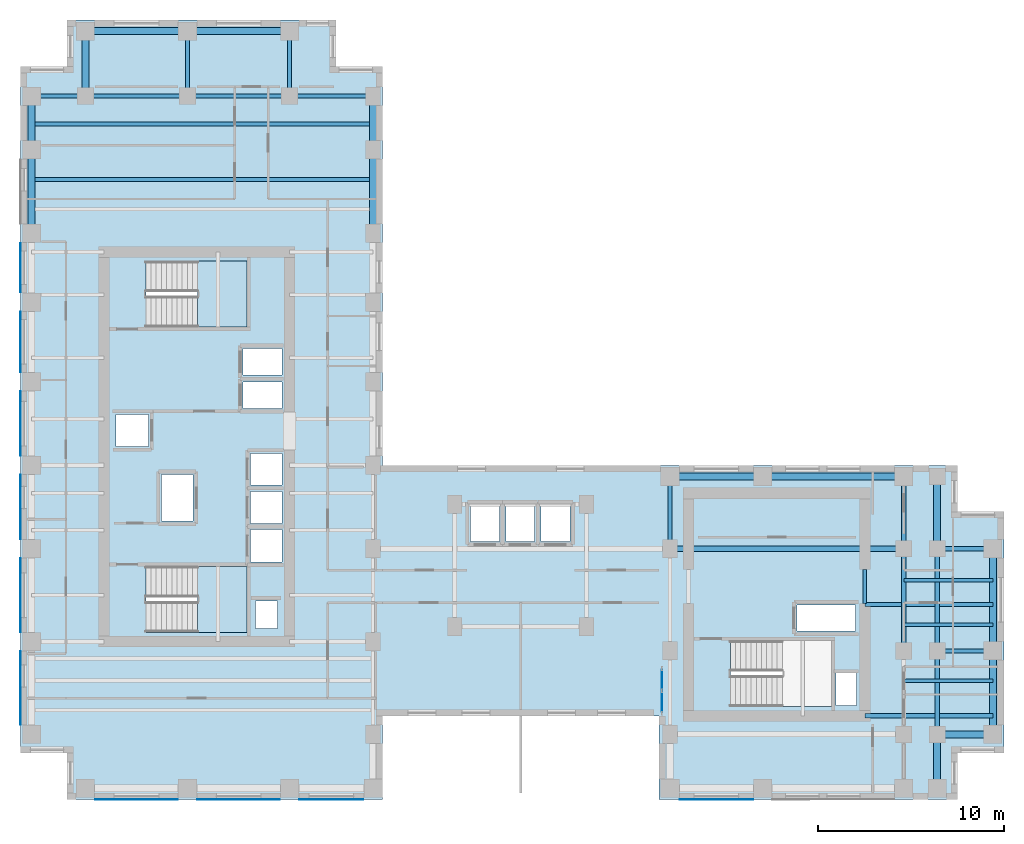
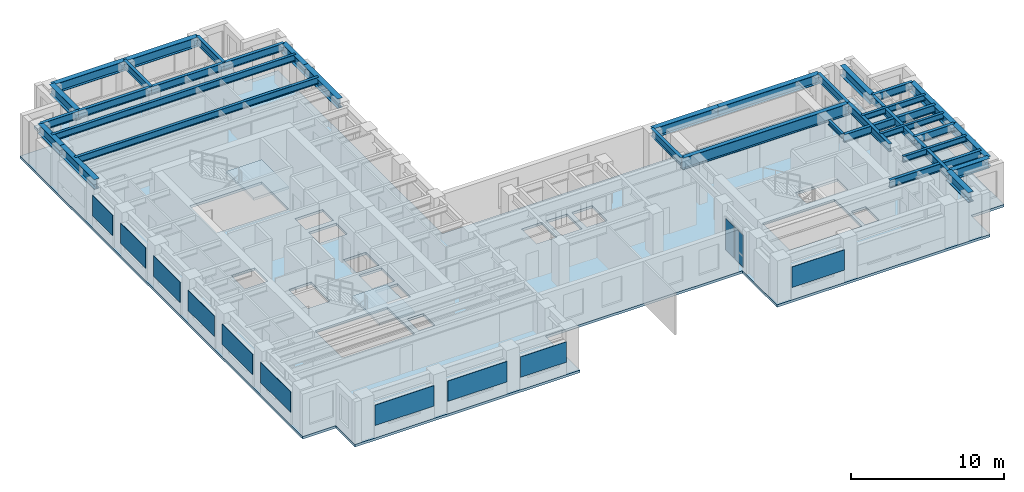
# One storey, part 3 of 12: 36 beams, 12 plates, 3 slabs, 3 elements without a shape of their own.
"""IFC4 building model written with IfcOpenShell, lengths in metres."""

from ifc_helpers import new_model, si_unit, direction, frame, origin, origin_2d, place, context, subcontext, project, spatial, polyline, rectangle, i_section, outline, extrude, source, transform, mapped, material, layer, layer_set, material_profile, profile_set, type_object, element, aggregate, save


model = new_model("IFC4")

# Units and contexts
model_context = context("Model", 3, precision=1e-05, world=origin(), true_north=direction((0.0, 1.0)))
body_context = subcontext(model_context, "Body", "Model", "MODEL_VIEW")
ifc_project = project(units=[si_unit("LENGTHUNIT", "METRE"), si_unit("AREAUNIT", "SQUARE_METRE"), si_unit("VOLUMEUNIT", "CUBIC_METRE"), si_unit("PLANEANGLEUNIT", "RADIAN"), si_unit("MASSUNIT", "GRAM", prefix="KILO")], contexts=[model_context])

# Site, building, storey
site_placement = place(None, origin())
site = spatial("IfcSite", under=ifc_project, at=site_placement, CompositionType="ELEMENT")
building_placement = place(site_placement, origin())
building = spatial("IfcBuilding", under=site, at=building_placement, Name="Kharzan Plaza Tower", CompositionType="ELEMENT")
storey_placement = place(building_placement, frame((0.0, 0.0, 146.699951171875)))
storey = spatial("IfcBuildingStorey", under=building, at=storey_placement, Name="L39", CompositionType="ELEMENT", Elevation=146.699951171875)

# Beams
ifc_material_1 = material(Name="Steel S355", Category="steel")
ifc_material_profile_1 = material_profile(ifc_material_1, i_section(OverallWidth=0.205078125, OverallDepth=0.35400390625, WebThickness=0.009521484375, FlangeThickness=0.016845703125, at=origin_2d()), Name="W360x79")
ifc_profile_set_1 = profile_set([ifc_material_profile_1], Name="Steel S355")
beam_type_1 = type_object("IfcBeamType", Name="BM-LNT360", PredefinedType="LINTEL", material=ifc_profile_set_1)
shared_shape_1 = source(origin(), body_context, "Body", "SweptSolid", [
    extrude(i_section(OverallWidth=0.205078125, OverallDepth=0.35400390625, WebThickness=0.009521484375, FlangeThickness=0.016845703125, at=origin_2d()), origin(), (0.0, 0.0, 1.0), 1.849853515625),
])
beam_1_placement = place(storey_placement, frame((45.5, 10.550048828125, 3.22314453125), z_axis=(0.0, 1.0, 0.0), x_axis=(-1.0, 0.0, 0.0)))
element("IfcBeam", 1, at=beam_1_placement, inside=storey, type_object=beam_type_1, Name="L39 CORE-B coupling lintel LN1-WE", PredefinedType="LINTEL", context=body_context, shape_type="MappedRepresentation", body=[
    mapped(shared_shape_1, transform((0.0, 0.0, 0.0), x_axis=(1.0, 0.0, 0.0), y_axis=(0.0, 1.0, 0.0), z_axis=(0.0, 0.0, 1.0))),
])
ifc_material_profile_2 = material_profile(ifc_material_1, i_section(OverallWidth=0.304931640625, OverallDepth=0.9189453125, WebThickness=0.017333984375, FlangeThickness=0.02783203125, at=origin_2d()), Name="W920x253")
ifc_profile_set_2 = profile_set([ifc_material_profile_2], Name="Steel S355")
beam_type_2 = type_object("IfcBeamType", Name="BM-FG920B", PredefinedType="BEAM", material=ifc_profile_set_2)
shared_shape_2 = source(origin(), body_context, "Body", "SweptSolid", [
    extrude(i_section(OverallWidth=0.304931640625, OverallDepth=0.9189453125, WebThickness=0.017333984375, FlangeThickness=0.02783203125, at=origin_2d()), origin(), (0.0, 0.0, 1.0), 12.60009765625),
])
beam_2_placement = place(storey_placement, frame((35.0, 13.5, 2.9404296875), z_axis=(1.0, 0.0, 0.0), x_axis=(0.0, 1.0, 0.0)))
element("IfcBeam", 2, at=beam_2_placement, inside=storey, type_object=beam_type_2, Name="L39 Primary Floor Girder", PredefinedType="BEAM", context=body_context, shape_type="MappedRepresentation", body=[
    mapped(shared_shape_2, transform((0.0, 0.0, 0.0), x_axis=(1.0, 0.0, 0.0), y_axis=(0.0, 1.0, 0.0), z_axis=(0.0, 0.0, 1.0))),
])
ifc_material_profile_3 = material_profile(ifc_material_1, i_section(OverallWidth=0.2099609375, OverallDepth=0.537109375, WebThickness=0.010986328125, FlangeThickness=0.017333984375, at=origin_2d()), Name="W530x101")
ifc_profile_set_3 = profile_set([ifc_material_profile_3], Name="Steel S355")
beam_type_3 = type_object("IfcBeamType", Name="BM-JST530B", PredefinedType="JOIST", material=ifc_profile_set_3)
shared_shape_3 = source(origin(), body_context, "Body", "SweptSolid", [
    extrude(i_section(OverallWidth=0.2099609375, OverallDepth=0.537109375, WebThickness=0.010986328125, FlangeThickness=0.017333984375, at=origin_2d()), origin(), (0.0, 0.0, 1.0), 18.39990234375),
])
for number, where, z_axis, x_axis, name in (
    (3, (0.60009765625, 33.39990234375, 3.131591796875), (1.0, 0.0, 0.0), (0.0, 1.0, 0.0), "L39 Wing A Composite Joist 05"),
    (4, (0.60009765625, 36.39990234375, 3.131591796875), (1.0, 0.0, 0.0), (0.0, 1.0, 0.0), "L39 Wing A Composite Joist 06"),
):
    element("IfcBeam", number, at=place(storey_placement, frame(where, z_axis=z_axis, x_axis=x_axis)), inside=storey, type_object=beam_type_3, Name=name, PredefinedType="JOIST", context=body_context, shape_type="MappedRepresentation", body=[
        mapped(shared_shape_3, transform((0.0, 0.0, 0.0), x_axis=(1.0, 0.0, 0.0), y_axis=(0.0, 1.0, 0.0), z_axis=(0.0, 0.0, 1.0))),
    ])
ifc_material_profile_4 = material_profile(ifc_material_1, i_section(OverallWidth=0.22900390625, OverallDepth=0.612060546875, WebThickness=0.011962890625, FlangeThickness=0.01953125, at=origin_2d()), Name="W610x125")
ifc_profile_set_4 = profile_set([ifc_material_profile_4], Name="Steel S355")
beam_type_4 = type_object("IfcBeamType", Name="BM-FG610B", PredefinedType="BEAM", material=ifc_profile_set_4)
shared_shape_4 = source(origin(), body_context, "Body", "SweptSolid", [
    extrude(i_section(OverallWidth=0.22900390625, OverallDepth=0.612060546875, WebThickness=0.011962890625, FlangeThickness=0.01953125, at=origin_2d()), origin(), (0.0, 0.0, 1.0), 4.5),
])
for number, where, z_axis, x_axis, name in (
    (5, (49.39990234375, 3.5, 3.093994140625), (0.0, 1.0, 0.0), (-1.0, 0.0, 0.0), "L39 Interior Frame Girder"),
    (6, (14.5, 37.89990234375, 3.093994140625), (1.0, 0.0, 0.0), (0.0, 1.0, 0.0), "L39 Primary Floor Girder"),
):
    element("IfcBeam", number, at=place(storey_placement, frame(where, z_axis=z_axis, x_axis=x_axis)), inside=storey, type_object=beam_type_4, Name=name, PredefinedType="BEAM", context=body_context, shape_type="MappedRepresentation", body=[
        mapped(shared_shape_4, transform((0.0, 0.0, 0.0), x_axis=(1.0, 0.0, 0.0), y_axis=(0.0, 1.0, 0.0), z_axis=(0.0, 0.0, 1.0))),
    ])
shared_shape_5 = source(origin(), body_context, "Body", "SweptSolid", [
    extrude(i_section(OverallWidth=0.22900390625, OverallDepth=0.612060546875, WebThickness=0.011962890625, FlangeThickness=0.01953125, at=origin_2d()), origin(), (0.0, 0.0, 1.0), 3.89990234375),
])
for number, where, z_axis, x_axis, name in (
    (7, (35.0, 13.5, 3.093994140625), (0.0, 1.0, 0.0), (-1.0, 0.0, 0.0), "L39 Interior Frame Girder"),
    (8, (47.60009765625, 13.5, 3.093994140625), (0.0, 1.0, 0.0), (-1.0, 0.0, 0.0), "L39 Interior Frame Girder"),
):
    element("IfcBeam", number, at=place(storey_placement, frame(where, z_axis=z_axis, x_axis=x_axis)), inside=storey, type_object=beam_type_4, Name=name, PredefinedType="BEAM", context=body_context, shape_type="MappedRepresentation", body=[
        mapped(shared_shape_5, transform((0.0, 0.0, 0.0), x_axis=(1.0, 0.0, 0.0), y_axis=(0.0, 1.0, 0.0), z_axis=(0.0, 0.0, 1.0))),
    ])
shared_shape_6 = source(origin(), body_context, "Body", "SweptSolid", [
    extrude(i_section(OverallWidth=0.22900390625, OverallDepth=0.612060546875, WebThickness=0.011962890625, FlangeThickness=0.01953125, at=origin_2d()), origin(), (0.0, 0.0, 1.0), 6.89990234375),
])
for number, where, z_axis, x_axis, name in (
    (9, (45.5, 4.5, 3.093994140625), (1.0, 0.0, 0.0), (0.0, 1.0, 0.0), "L39 Core-B East Floor Girder 1"),
    (10, (45.5, 10.5, 3.093994140625), (1.0, 0.0, 0.0), (0.0, 1.0, 0.0), "L39 Core-B East Floor Girder 2"),
):
    element("IfcBeam", number, at=place(storey_placement, frame(where, z_axis=z_axis, x_axis=x_axis)), inside=storey, type_object=beam_type_4, Name=name, PredefinedType="BEAM", context=body_context, shape_type="MappedRepresentation", body=[
        mapped(shared_shape_6, transform((0.0, 0.0, 0.0), x_axis=(1.0, 0.0, 0.0), y_axis=(0.0, 1.0, 0.0), z_axis=(0.0, 0.0, 1.0))),
    ])
shared_shape_7 = source(origin(), body_context, "Body", "SweptSolid", [
    extrude(i_section(OverallWidth=0.22900390625, OverallDepth=0.612060546875, WebThickness=0.011962890625, FlangeThickness=0.01953125, at=origin_2d()), origin(), (0.0, 0.0, 1.0), 3.5),
])
for number, where, z_axis, x_axis, name in (
    (11, (9.0, 37.89990234375, 3.093994140625), (0.0, 1.0, 0.0), (-1.0, 0.0, 0.0), "L39 Interior Frame Girder"),
    (12, (14.5, 37.89990234375, 3.093994140625), (0.0, 1.0, 0.0), (-1.0, 0.0, 0.0), "L39 Interior Frame Girder"),
):
    element("IfcBeam", number, at=place(storey_placement, frame(where, z_axis=z_axis, x_axis=x_axis)), inside=storey, type_object=beam_type_4, Name=name, PredefinedType="BEAM", context=body_context, shape_type="MappedRepresentation", body=[
        mapped(shared_shape_7, transform((0.0, 0.0, 0.0), x_axis=(1.0, 0.0, 0.0), y_axis=(0.0, 1.0, 0.0), z_axis=(0.0, 0.0, 1.0))),
    ])
shared_shape_8 = source(origin(), body_context, "Body", "SweptSolid", [
    extrude(i_section(OverallWidth=0.22900390625, OverallDepth=0.612060546875, WebThickness=0.011962890625, FlangeThickness=0.01953125, at=origin_2d()), origin(), (0.0, 0.0, 1.0), 5.5),
])
for number, where, z_axis, x_axis, name in (
    (13, (47.60009765625, 8.0, 3.093994140625), (0.0, 1.0, 0.0), (-1.0, 0.0, 0.0), "L39 Interior Frame Girder"),
    (14, (49.39990234375, 8.0, 3.093994140625), (0.0, 1.0, 0.0), (-1.0, 0.0, 0.0), "L39 Interior Frame Girder"),
    (15, (3.5, 37.89990234375, 3.093994140625), (1.0, 0.0, 0.0), (0.0, 1.0, 0.0), "L39 Primary Floor Girder"),
    (16, (9.0, 37.89990234375, 3.093994140625), (1.0, 0.0, 0.0), (0.0, 1.0, 0.0), "L39 Primary Floor Girder"),
):
    element("IfcBeam", number, at=place(storey_placement, frame(where, z_axis=z_axis, x_axis=x_axis)), inside=storey, type_object=beam_type_4, Name=name, PredefinedType="BEAM", context=body_context, shape_type="MappedRepresentation", body=[
        mapped(shared_shape_8, transform((0.0, 0.0, 0.0), x_axis=(1.0, 0.0, 0.0), y_axis=(0.0, 1.0, 0.0), z_axis=(0.0, 0.0, 1.0))),
    ])
shared_shape_9 = source(origin(), body_context, "Body", "SweptSolid", [
    extrude(i_section(OverallWidth=0.22900390625, OverallDepth=0.612060546875, WebThickness=0.011962890625, FlangeThickness=0.01953125, at=origin_2d()), origin(), (0.0, 0.0, 1.0), 2.89990234375),
])
beam_3_placement = place(storey_placement, frame((0.60009765625, 37.89990234375, 3.093994140625), z_axis=(1.0, 0.0, 0.0), x_axis=(0.0, 1.0, 0.0)))
element("IfcBeam", 17, at=beam_3_placement, inside=storey, type_object=beam_type_4, Name="L39 Primary Floor Girder", PredefinedType="BEAM", context=body_context, shape_type="MappedRepresentation", body=[
    mapped(shared_shape_9, transform((0.0, 0.0, 0.0), x_axis=(1.0, 0.0, 0.0), y_axis=(0.0, 1.0, 0.0), z_axis=(0.0, 0.0, 1.0))),
])
shared_shape_10 = source(origin(), body_context, "Body", "SweptSolid", [
    extrude(i_section(OverallWidth=0.22900390625, OverallDepth=0.612060546875, WebThickness=0.011962890625, FlangeThickness=0.01953125, at=origin_2d()), origin(), (0.0, 0.0, 1.0), 3.0),
])
for number, where, z_axis, x_axis, name in (
    (18, (49.39990234375, 8.0, 3.093994140625), (1.0, 0.0, 0.0), (0.0, 1.0, 0.0), "L39 Primary Floor Girder"),
    (19, (49.39990234375, 13.5, 3.093994140625), (1.0, 0.0, 0.0), (0.0, 1.0, 0.0), "L39 Primary Floor Girder"),
):
    element("IfcBeam", number, at=place(storey_placement, frame(where, z_axis=z_axis, x_axis=x_axis)), inside=storey, type_object=beam_type_4, Name=name, PredefinedType="BEAM", context=body_context, shape_type="MappedRepresentation", body=[
        mapped(shared_shape_10, transform((0.0, 0.0, 0.0), x_axis=(1.0, 0.0, 0.0), y_axis=(0.0, 1.0, 0.0), z_axis=(0.0, 0.0, 1.0))),
    ])
ifc_material_profile_5 = material_profile(ifc_material_1, i_section(OverallWidth=0.194091796875, OverallDepth=0.468994140625, WebThickness=0.011474609375, FlangeThickness=0.0205078125, at=origin_2d()), Name="W460x106")
ifc_profile_set_5 = profile_set([ifc_material_profile_5], Name="Steel S355")
beam_type_5 = type_object("IfcBeamType", Name="BM-JST460", PredefinedType="JOIST", material=ifc_profile_set_5)
shared_shape_11 = source(origin(), body_context, "Body", "SweptSolid", [
    extrude(i_section(OverallWidth=0.194091796875, OverallDepth=0.468994140625, WebThickness=0.011474609375, FlangeThickness=0.0205078125, at=origin_2d()), origin(), (0.0, 0.0, 1.0), 4.7998046875),
])
for number, where, z_axis, x_axis, name in (
    (20, (47.60009765625, 6.39990234375, 3.16552734375), (1.0, 0.0, 0.0), (0.0, 1.0, 0.0), "L39 Wing B Composite Joist 02"),
    (21, (47.60009765625, 9.39990234375, 3.16552734375), (1.0, 0.0, 0.0), (0.0, 1.0, 0.0), "L39 Wing B Composite Joist 03"),
    (22, (47.60009765625, 11.800048828125, 3.16552734375), (1.0, 0.0, 0.0), (0.0, 1.0, 0.0), "L39 Wing B Composite Joist 04"),
):
    element("IfcBeam", number, at=place(storey_placement, frame(where, z_axis=z_axis, x_axis=x_axis)), inside=storey, type_object=beam_type_5, Name=name, PredefinedType="JOIST", context=body_context, shape_type="MappedRepresentation", body=[
        mapped(shared_shape_11, transform((0.0, 0.0, 0.0), x_axis=(1.0, 0.0, 0.0), y_axis=(0.0, 1.0, 0.0), z_axis=(0.0, 0.0, 1.0))),
    ])
ifc_material_profile_6 = material_profile(ifc_material_1, i_section(OverallWidth=0.381103515625, OverallDepth=0.77294921875, WebThickness=0.0166015625, FlangeThickness=0.027587890625, at=origin_2d()), Name="W760x257")
ifc_profile_set_6 = profile_set([ifc_material_profile_6], Name="Steel S355")
beam_type_6 = type_object("IfcBeamType", Name="BM-SP760A", PredefinedType="SPANDREL", material=ifc_profile_set_6)
shared_shape_12 = source(origin(), body_context, "Body", "SweptSolid", [
    extrude(i_section(OverallWidth=0.381103515625, OverallDepth=0.77294921875, WebThickness=0.0166015625, FlangeThickness=0.027587890625, at=origin_2d()), origin(), (0.0, 0.0, 1.0), 5.0),
])
beam_4_placement = place(storey_placement, frame((35.0, 17.39990234375, 3.013427734375), z_axis=(1.0, 0.0, 0.0), x_axis=(0.0, 1.0, 0.0)))
element("IfcBeam", 23, at=beam_4_placement, inside=storey, type_object=beam_type_6, Name="L39 Perimeter Tube Spandrel", PredefinedType="SPANDREL", context=body_context, shape_type="MappedRepresentation", body=[
    mapped(shared_shape_12, transform((0.0, 0.0, 0.0), x_axis=(1.0, 0.0, 0.0), y_axis=(0.0, 1.0, 0.0), z_axis=(0.0, 0.0, 1.0))),
])
shared_shape_13 = source(origin(), body_context, "Body", "SweptSolid", [
    extrude(i_section(OverallWidth=0.381103515625, OverallDepth=0.77294921875, WebThickness=0.0166015625, FlangeThickness=0.027587890625, at=origin_2d()), origin(), (0.0, 0.0, 1.0), 4.5),
])
for number, where, z_axis, x_axis, name in (
    (24, (0.60009765625, 30.5, 3.013427734375), (0.0, 1.0, 0.0), (-1.0, 0.0, 0.0), "L39 Perimeter Tube Spandrel"),
    (25, (19.0, 30.5, 3.013427734375), (0.0, 1.0, 0.0), (-1.0, 0.0, 0.0), "L39 Perimeter Tube Spandrel"),
    (26, (52.39990234375, 3.5, 3.013427734375), (0.0, 1.0, 0.0), (-1.0, 0.0, 0.0), "L39 Perimeter Tube Spandrel"),
):
    element("IfcBeam", number, at=place(storey_placement, frame(where, z_axis=z_axis, x_axis=x_axis)), inside=storey, type_object=beam_type_6, Name=name, PredefinedType="SPANDREL", context=body_context, shape_type="MappedRepresentation", body=[
        mapped(shared_shape_13, transform((0.0, 0.0, 0.0), x_axis=(1.0, 0.0, 0.0), y_axis=(0.0, 1.0, 0.0), z_axis=(0.0, 0.0, 1.0))),
    ])
shared_shape_14 = source(origin(), body_context, "Body", "SweptSolid", [
    extrude(i_section(OverallWidth=0.381103515625, OverallDepth=0.77294921875, WebThickness=0.0166015625, FlangeThickness=0.027587890625, at=origin_2d()), origin(), (0.0, 0.0, 1.0), 2.89990234375),
])
for number, where, z_axis, x_axis, name in (
    (27, (0.60009765625, 35.0, 3.013427734375), (0.0, 1.0, 0.0), (-1.0, 0.0, 0.0), "L39 Perimeter Tube Spandrel"),
    (28, (19.0, 35.0, 3.013427734375), (0.0, 1.0, 0.0), (-1.0, 0.0, 0.0), "L39 Perimeter Tube Spandrel"),
    (29, (49.39990234375, 0.60009765625, 3.013427734375), (0.0, 1.0, 0.0), (-1.0, 0.0, 0.0), "L39 Perimeter Tube Spandrel"),
):
    element("IfcBeam", number, at=place(storey_placement, frame(where, z_axis=z_axis, x_axis=x_axis)), inside=storey, type_object=beam_type_6, Name=name, PredefinedType="SPANDREL", context=body_context, shape_type="MappedRepresentation", body=[
        mapped(shared_shape_14, transform((0.0, 0.0, 0.0), x_axis=(1.0, 0.0, 0.0), y_axis=(0.0, 1.0, 0.0), z_axis=(0.0, 0.0, 1.0))),
    ])
shared_shape_15 = source(origin(), body_context, "Body", "SweptSolid", [
    extrude(i_section(OverallWidth=0.381103515625, OverallDepth=0.77294921875, WebThickness=0.0166015625, FlangeThickness=0.027587890625, at=origin_2d()), origin(), (0.0, 0.0, 1.0), 3.5),
])
beam_5_placement = place(storey_placement, frame((3.5, 37.89990234375, 3.013427734375), z_axis=(0.0, 1.0, 0.0), x_axis=(-1.0, 0.0, 0.0)))
element("IfcBeam", 30, at=beam_5_placement, inside=storey, type_object=beam_type_6, Name="L39 Perimeter Tube Spandrel", PredefinedType="SPANDREL", context=body_context, shape_type="MappedRepresentation", body=[
    mapped(shared_shape_15, transform((0.0, 0.0, 0.0), x_axis=(1.0, 0.0, 0.0), y_axis=(0.0, 1.0, 0.0), z_axis=(0.0, 0.0, 1.0))),
])
shared_shape_16 = source(origin(), body_context, "Body", "SweptSolid", [
    extrude(i_section(OverallWidth=0.381103515625, OverallDepth=0.77294921875, WebThickness=0.0166015625, FlangeThickness=0.027587890625, at=origin_2d()), origin(), (0.0, 0.0, 1.0), 3.89990234375),
])
beam_6_placement = place(storey_placement, frame((49.39990234375, 13.5, 3.013427734375), z_axis=(0.0, 1.0, 0.0), x_axis=(-1.0, 0.0, 0.0)))
element("IfcBeam", 31, at=beam_6_placement, inside=storey, type_object=beam_type_6, Name="L39 Perimeter Tube Spandrel", PredefinedType="SPANDREL", context=body_context, shape_type="MappedRepresentation", body=[
    mapped(shared_shape_16, transform((0.0, 0.0, 0.0), x_axis=(1.0, 0.0, 0.0), y_axis=(0.0, 1.0, 0.0), z_axis=(0.0, 0.0, 1.0))),
])
shared_shape_17 = source(origin(), body_context, "Body", "SweptSolid", [
    extrude(i_section(OverallWidth=0.381103515625, OverallDepth=0.77294921875, WebThickness=0.0166015625, FlangeThickness=0.027587890625, at=origin_2d()), origin(), (0.0, 0.0, 1.0), 5.5),
])
for number, where, z_axis, x_axis, name in (
    (32, (52.39990234375, 8.0, 3.013427734375), (0.0, 1.0, 0.0), (-1.0, 0.0, 0.0), "L39 Perimeter Tube Spandrel"),
    (33, (3.5, 41.39990234375, 3.013427734375), (1.0, 0.0, 0.0), (0.0, 1.0, 0.0), "L39 Perimeter Tube Spandrel"),
    (34, (9.0, 41.39990234375, 3.013427734375), (1.0, 0.0, 0.0), (0.0, 1.0, 0.0), "L39 Perimeter Tube Spandrel"),
):
    element("IfcBeam", number, at=place(storey_placement, frame(where, z_axis=z_axis, x_axis=x_axis)), inside=storey, type_object=beam_type_6, Name=name, PredefinedType="SPANDREL", context=body_context, shape_type="MappedRepresentation", body=[
        mapped(shared_shape_17, transform((0.0, 0.0, 0.0), x_axis=(1.0, 0.0, 0.0), y_axis=(0.0, 1.0, 0.0), z_axis=(0.0, 0.0, 1.0))),
    ])
shared_shape_18 = source(origin(), body_context, "Body", "SweptSolid", [
    extrude(i_section(OverallWidth=0.381103515625, OverallDepth=0.77294921875, WebThickness=0.0166015625, FlangeThickness=0.027587890625, at=origin_2d()), origin(), (0.0, 0.0, 1.0), 7.60009765625),
])
beam_7_placement = place(storey_placement, frame((40.0, 17.39990234375, 3.013427734375), z_axis=(1.0, 0.0, 0.0), x_axis=(0.0, 1.0, 0.0)))
element("IfcBeam", 35, at=beam_7_placement, inside=storey, type_object=beam_type_6, Name="L39 Perimeter Tube Spandrel", PredefinedType="SPANDREL", context=body_context, shape_type="MappedRepresentation", body=[
    mapped(shared_shape_18, transform((0.0, 0.0, 0.0), x_axis=(1.0, 0.0, 0.0), y_axis=(0.0, 1.0, 0.0), z_axis=(0.0, 0.0, 1.0))),
])
shared_shape_19 = source(origin(), body_context, "Body", "SweptSolid", [
    extrude(i_section(OverallWidth=0.381103515625, OverallDepth=0.77294921875, WebThickness=0.0166015625, FlangeThickness=0.027587890625, at=origin_2d()), origin(), (0.0, 0.0, 1.0), 3.0),
])
beam_8_placement = place(storey_placement, frame((49.39990234375, 3.5, 3.013427734375), z_axis=(1.0, 0.0, 0.0), x_axis=(0.0, 1.0, 0.0)))
element("IfcBeam", 36, at=beam_8_placement, inside=storey, type_object=beam_type_6, Name="L39 Perimeter Tube Spandrel", PredefinedType="SPANDREL", context=body_context, shape_type="MappedRepresentation", body=[
    mapped(shared_shape_19, transform((0.0, 0.0, 0.0), x_axis=(1.0, 0.0, 0.0), y_axis=(0.0, 1.0, 0.0), z_axis=(0.0, 0.0, 1.0))),
])

# Slab
ifc_material_2 = material(Name="Concrete C40/50", Category="concrete")
ifc_layer_1 = layer(ifc_material_2, 0.199951171875)
ifc_layer_set_1 = layer_set([ifc_layer_1], Name="Concrete C40/50")
slab_type_1 = type_object("IfcSlabType", Name="SL-FLOOR-200", PredefinedType="FLOOR", material=ifc_layer_set_1)
slab_1_placement = place(storey_placement, frame((0.0, 0.0, -0.199951171875)))
element("IfcSlab", 37, at=slab_1_placement, inside=storey, type_object=slab_type_1, Name="L39 Composite Structural Floor Slab 200 mm", PredefinedType="FLOOR", context=body_context, shape_type="SweptSolid", body=[
    extrude(outline(polyline([(34.39990234375, 18.0), (19.5, 18.0), (19.5, 39.5), (17.0, 39.5), (17.0, 42.0), (2.5, 42.0), (2.5, 39.5), (0.0, 39.5), (0.0, 2.5), (2.5, 2.5), (2.5, 0.0), (19.5, 0.0), (19.5, 4.5), (34.39990234375, 4.5), (34.39990234375, 0.0), (50.5, 0.0), (50.5, 2.5), (53.0, 2.5), (53.0, 15.5), (50.5, 15.5), (50.5, 18.0), (34.39990234375, 18.0)]), holes=[polyline([(12.199951171875, 9.0), (12.199951171875, 12.550048828125), (6.75, 12.550048828125), (6.75, 9.0), (12.199951171875, 9.0)]), polyline([(14.10009765625, 12.800048828125), (14.10009765625, 14.530029296875), (12.39990234375, 14.530029296875), (12.39990234375, 12.800048828125), (14.10009765625, 12.800048828125)]), polyline([(14.10009765625, 14.8701171875), (14.10009765625, 16.60009765625), (12.39990234375, 16.60009765625), (12.39990234375, 14.8701171875), (14.10009765625, 14.8701171875)]), polyline([(9.300048828125, 15.0), (9.300048828125, 17.5), (7.60009765625, 17.5), (7.60009765625, 15.0), (9.300048828125, 15.0)]), polyline([(6.89990234375, 19.010009765625), (6.89990234375, 20.72998046875), (5.14990234375, 20.72998046875), (5.14990234375, 19.010009765625), (6.89990234375, 19.010009765625)]), polyline([(14.10009765625, 21.070068359375), (14.10009765625, 22.489990234375), (12.0, 22.489990234375), (12.0, 21.070068359375), (14.10009765625, 21.070068359375)]), polyline([(14.10009765625, 22.8701171875), (14.10009765625, 24.2900390625), (12.0, 24.2900390625), (12.0, 22.8701171875), (14.10009765625, 22.8701171875)]), polyline([(12.199951171875, 25.449951171875), (12.199951171875, 29.0), (6.75, 29.0), (6.75, 25.449951171875), (12.199951171875, 25.449951171875)]), polyline([(45.050048828125, 5.050048828125), (45.050048828125, 6.800048828125), (43.949951171875, 6.800048828125), (43.949951171875, 5.050048828125), (45.050048828125, 5.050048828125)]), polyline([(43.699951171875, 5.0), (43.699951171875, 8.550048828125), (38.25, 8.550048828125), (38.25, 5.0), (43.699951171875, 5.0)]), polyline([(45.0, 9.070068359375), (45.0, 10.469970703125), (41.85009765625, 10.469970703125), (41.85009765625, 9.070068359375), (45.0, 9.070068359375)]), polyline([(13.85009765625, 9.199951171875), (13.85009765625, 10.699951171875), (12.64990234375, 10.699951171875), (12.64990234375, 9.199951171875), (13.85009765625, 9.199951171875)]), polyline([(25.800048828125, 13.89990234375), (25.800048828125, 15.85009765625), (24.25, 15.85009765625), (24.25, 13.89990234375), (25.800048828125, 13.89990234375)]), polyline([(27.699951171875, 13.89990234375), (27.699951171875, 15.85009765625), (26.14990234375, 15.85009765625), (26.14990234375, 13.89990234375), (27.699951171875, 13.89990234375)]), polyline([(29.60009765625, 13.89990234375), (29.60009765625, 15.85009765625), (28.050048828125, 15.85009765625), (28.050048828125, 13.89990234375), (29.60009765625, 13.89990234375)]), polyline([(14.10009765625, 16.93994140625), (14.10009765625, 18.64990234375), (12.39990234375, 18.64990234375), (12.39990234375, 16.93994140625), (14.10009765625, 16.93994140625)])]), origin(), (0.0, 0.0, 1.0), 0.199951171875),
])

# Stair, slab
stair_type_1 = type_object("IfcStairType", Name="STR-ST-1", PredefinedType="HALF_TURN_STAIR", material=ifc_material_2)
stair_1_placement = place(storey_placement, origin())
stair_1 = element("IfcStair", 38, at=stair_1_placement, inside=storey, type_object=stair_type_1, Name="L39 Protected Exit Stair ST-1", PredefinedType="HALF_TURN_STAIR")
ifc_layer_2 = layer(ifc_material_2, 0.219970703125)
ifc_layer_set_2 = layer_set([ifc_layer_2], Name="Concrete C40/50")
slab_type_2 = type_object("IfcSlabType", Name="SL-LANDING-220", PredefinedType="LANDING", material=ifc_layer_set_2)
slab_2_placement = place(storey_placement, frame((0.0, 0.0, 1.60009765625)))
slab_2 = element("IfcSlab", 39, at=slab_2_placement, type_object=slab_type_2, Name="ST-1 landing 1", PredefinedType="LANDING", context=body_context, shape_type="SweptSolid", body=[
    extrude(outline(polyline([(9.550048828125, 9.0), (12.199951171875, 9.0), (12.199951171875, 12.550048828125), (9.550048828125, 12.550048828125), (9.550048828125, 9.0)])), origin(), (0.0, 0.0, 1.0), 0.199951171875),
])
aggregate(stair_1, [slab_2])

stair_type_2 = type_object("IfcStairType", Name="STR-ST-2", PredefinedType="HALF_TURN_STAIR", material=ifc_material_2)
stair_2_placement = place(storey_placement, origin())
stair_2 = element("IfcStair", 40, at=stair_2_placement, inside=storey, type_object=stair_type_2, Name="L39 Protected Exit Stair ST-2", PredefinedType="HALF_TURN_STAIR")
slab_3_placement = place(storey_placement, frame((0.0, 0.0, 1.60009765625)))
slab_3 = element("IfcSlab", 41, at=slab_3_placement, type_object=slab_type_2, Name="ST-2 landing 1", PredefinedType="LANDING", context=body_context, shape_type="SweptSolid", body=[
    extrude(outline(polyline([(9.550048828125, 25.449951171875), (12.199951171875, 25.449951171875), (12.199951171875, 29.0), (9.550048828125, 29.0), (9.550048828125, 25.449951171875)])), origin(), (0.0, 0.0, 1.0), 0.199951171875),
])
aggregate(stair_2, [slab_3])

# Curtain wall, plates
ifc_material_3 = material(Name="Unitised Bronze-Anodized Aluminium and Low-E Glass", Category="aluminium")
ifc_layer_3 = layer(ifc_material_3, 0.199951171875)
ifc_layer_set_3 = layer_set([ifc_layer_3], Name="Unitised Bronze-Anodized Aluminium and Low-E Glass")
curtain_wall_type = type_object("IfcCurtainWallType", Name="CW-SLOT-3", PredefinedType="NOTDEFINED", material=ifc_layer_set_3)
curtain_wall_placement = place(storey_placement, origin())
curtain_wall = element("IfcCurtainWall", 42, at=curtain_wall_placement, inside=storey, type_object=curtain_wall_type, Name="L39 East Slot Recessed Spine Curtain Wall", PredefinedType="NOTDEFINED")
ifc_material_4 = material(Name="Dark Solar-Control Double Glazing", Category="glass")
ifc_layer_4 = layer(ifc_material_4, 0.031982421875)
ifc_layer_set_4 = layer_set([ifc_layer_4], Name="Dark Solar-Control Double Glazing")
plate_type_1 = type_object("IfcPlateType", Name="PLT-CW-GLASS", PredefinedType="CURTAIN_PANEL", material=ifc_layer_set_4)
shared_shape_20 = source(origin(), body_context, "Body", "SweptSolid", [
    extrude(rectangle(XDim=1.080078125, YDim=0.031982421875, at=origin_2d()), origin(), (0.0, 0.0, 1.0), 2.5400390625),
])
plate_1_placement = place(storey_placement, frame((34.580078125, 5.25, 0.080078125), z_axis=(0.0, 0.0, 1.0), x_axis=(0.0, 1.0, 0.0)))
plate_1 = element("IfcPlate", 43, at=plate_1_placement, type_object=plate_type_1, Name="L39 Curtain-Wall Glazed Panel 00", PredefinedType="CURTAIN_PANEL", context=body_context, shape_type="MappedRepresentation", body=[
    mapped(shared_shape_20, transform((0.0, 0.0, 0.0), x_axis=(1.0, 0.0, 0.0), y_axis=(0.0, 1.0, 0.0), z_axis=(0.0, 0.0, 1.0))),
])
plate_2_placement = place(storey_placement, frame((34.580078125, 6.449951171875, 0.080078125), z_axis=(0.0, 0.0, 1.0), x_axis=(0.0, 1.0, 0.0)))
plate_2 = element("IfcPlate", 44, at=plate_2_placement, type_object=plate_type_1, Name="L39 Curtain-Wall Glazed Panel 01", PredefinedType="CURTAIN_PANEL", context=body_context, shape_type="MappedRepresentation", body=[
    mapped(shared_shape_20, transform((0.0, 0.0, 0.0), x_axis=(1.0, 0.0, 0.0), y_axis=(0.0, 1.0, 0.0), z_axis=(0.0, 0.0, 1.0))),
])
aggregate(curtain_wall, [plate_1, plate_2])

# Plates
ifc_material_5 = material(Name="Perforated Bronze-Anodized Aluminium", Category="aluminium")
ifc_layer_5 = layer(ifc_material_5, 0.030029296875)
ifc_layer_set_5 = layer_set([ifc_layer_5], Name="Perforated Bronze-Anodized Aluminium")
plate_type_2 = type_object("IfcPlateType", Name="PLT-MASH-SCREEN", PredefinedType="SHEET", material=ifc_layer_set_5)
shared_shape_21 = source(origin(), body_context, "Body", "SweptSolid", [
    extrude(rectangle(XDim=3.464111328125, YDim=0.030029296875, at=origin_2d()), origin(), (0.0, 0.0, 1.0), 1.632080078125),
])
for number, where, z_axis, x_axis, name in (
    (45, (-0.012939453125, 20.25, 1.01416015625), (0.0, 0.0, 1.0), (0.0, -1.0, 0.0), "L39 Perforated Mashrabiya Solar Screen"),
    (46, (-0.012939453125, 15.75, 1.01416015625), (0.0, 0.0, 1.0), (0.0, -1.0, 0.0), "L39 Perforated Mashrabiya Solar Screen"),
    (47, (16.75, -0.012939453125, 1.01416015625), (0.0, 0.0, 1.0), (1.0, 0.0, 0.0), "L39 Perforated Mashrabiya Solar Screen"),
):
    element("IfcPlate", number, at=place(storey_placement, frame(where, z_axis=z_axis, x_axis=x_axis)), inside=storey, type_object=plate_type_2, Name=name, PredefinedType="SHEET", context=body_context, shape_type="MappedRepresentation", body=[
        mapped(shared_shape_21, transform((0.0, 0.0, 0.0), x_axis=(1.0, 0.0, 0.0), y_axis=(0.0, 1.0, 0.0), z_axis=(0.0, 0.0, 1.0))),
    ])
shared_shape_22 = source(origin(), body_context, "Body", "SweptSolid", [
    extrude(rectangle(XDim=2.6640625, YDim=0.030029296875, at=origin_2d()), origin(), (0.0, 0.0, 1.0), 1.632080078125),
])
plate_3_placement = place(storey_placement, frame((-0.012939453125, 28.64990234375, 1.01416015625), z_axis=(0.0, 0.0, 1.0), x_axis=(0.0, -1.0, 0.0)))
element("IfcPlate", 48, at=plate_3_placement, inside=storey, type_object=plate_type_2, Name="L39 Perforated Mashrabiya Solar Screen", PredefinedType="SHEET", context=body_context, shape_type="MappedRepresentation", body=[
    mapped(shared_shape_22, transform((0.0, 0.0, 0.0), x_axis=(1.0, 0.0, 0.0), y_axis=(0.0, 1.0, 0.0), z_axis=(0.0, 0.0, 1.0))),
])
shared_shape_23 = source(origin(), body_context, "Body", "SweptSolid", [
    extrude(rectangle(XDim=3.263916015625, YDim=0.030029296875, at=origin_2d()), origin(), (0.0, 0.0, 1.0), 1.632080078125),
])
plate_4_placement = place(storey_placement, frame((-0.012939453125, 24.64990234375, 1.01416015625), z_axis=(0.0, 0.0, 1.0), x_axis=(0.0, -1.0, 0.0)))
element("IfcPlate", 49, at=plate_4_placement, inside=storey, type_object=plate_type_2, Name="L39 Perforated Mashrabiya Solar Screen", PredefinedType="SHEET", context=body_context, shape_type="MappedRepresentation", body=[
    mapped(shared_shape_23, transform((0.0, 0.0, 0.0), x_axis=(1.0, 0.0, 0.0), y_axis=(0.0, 1.0, 0.0), z_axis=(0.0, 0.0, 1.0))),
])
shared_shape_24 = source(origin(), body_context, "Body", "SweptSolid", [
    extrude(rectangle(XDim=3.964111328125, YDim=0.030029296875, at=origin_2d()), origin(), (0.0, 0.0, 1.0), 1.632080078125),
])
for number, where, z_axis, x_axis, name in (
    (50, (-0.012939453125, 11.0, 1.01416015625), (0.0, 0.0, 1.0), (0.0, -1.0, 0.0), "L39 Perforated Mashrabiya Solar Screen"),
    (51, (-0.012939453125, 6.0, 1.01416015625), (0.0, 0.0, 1.0), (0.0, -1.0, 0.0), "L39 Perforated Mashrabiya Solar Screen"),
    (52, (37.5, -0.012939453125, 1.01416015625), (0.0, 0.0, 1.0), (1.0, 0.0, 0.0), "L39 Perforated Mashrabiya Solar Screen"),
):
    element("IfcPlate", number, at=place(storey_placement, frame(where, z_axis=z_axis, x_axis=x_axis)), inside=storey, type_object=plate_type_2, Name=name, PredefinedType="SHEET", context=body_context, shape_type="MappedRepresentation", body=[
        mapped(shared_shape_24, transform((0.0, 0.0, 0.0), x_axis=(1.0, 0.0, 0.0), y_axis=(0.0, 1.0, 0.0), z_axis=(0.0, 0.0, 1.0))),
    ])
shared_shape_25 = source(origin(), body_context, "Body", "SweptSolid", [
    extrude(rectangle(XDim=4.464111328125, YDim=0.030029296875, at=origin_2d()), origin(), (0.0, 0.0, 1.0), 1.632080078125),
])
for number, where, z_axis, x_axis, name in (
    (53, (6.25, -0.012939453125, 1.01416015625), (0.0, 0.0, 1.0), (1.0, 0.0, 0.0), "L39 Perforated Mashrabiya Solar Screen"),
    (54, (11.75, -0.012939453125, 1.01416015625), (0.0, 0.0, 1.0), (1.0, 0.0, 0.0), "L39 Perforated Mashrabiya Solar Screen"),
):
    element("IfcPlate", number, at=place(storey_placement, frame(where, z_axis=z_axis, x_axis=x_axis)), inside=storey, type_object=plate_type_2, Name=name, PredefinedType="SHEET", context=body_context, shape_type="MappedRepresentation", body=[
        mapped(shared_shape_25, transform((0.0, 0.0, 0.0), x_axis=(1.0, 0.0, 0.0), y_axis=(0.0, 1.0, 0.0), z_axis=(0.0, 0.0, 1.0))),
    ])

save(model, "model.ifc")
